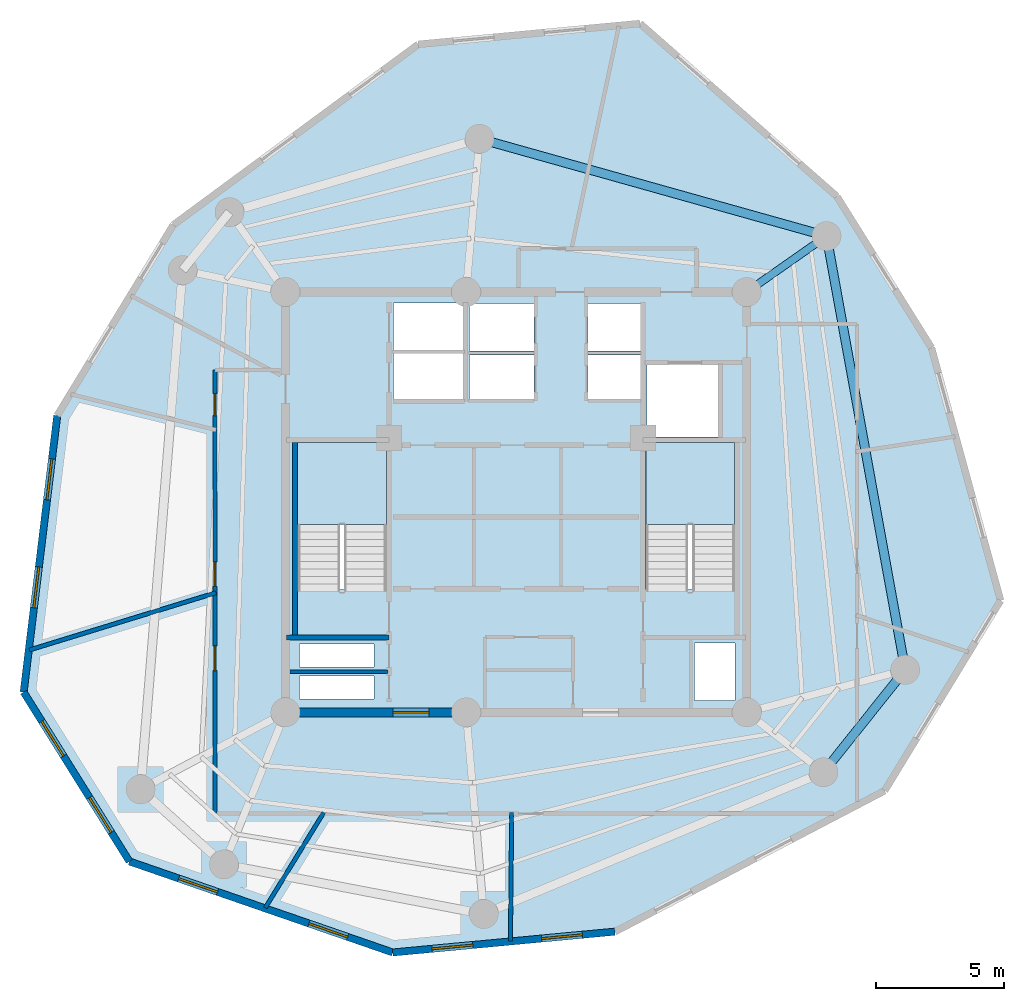
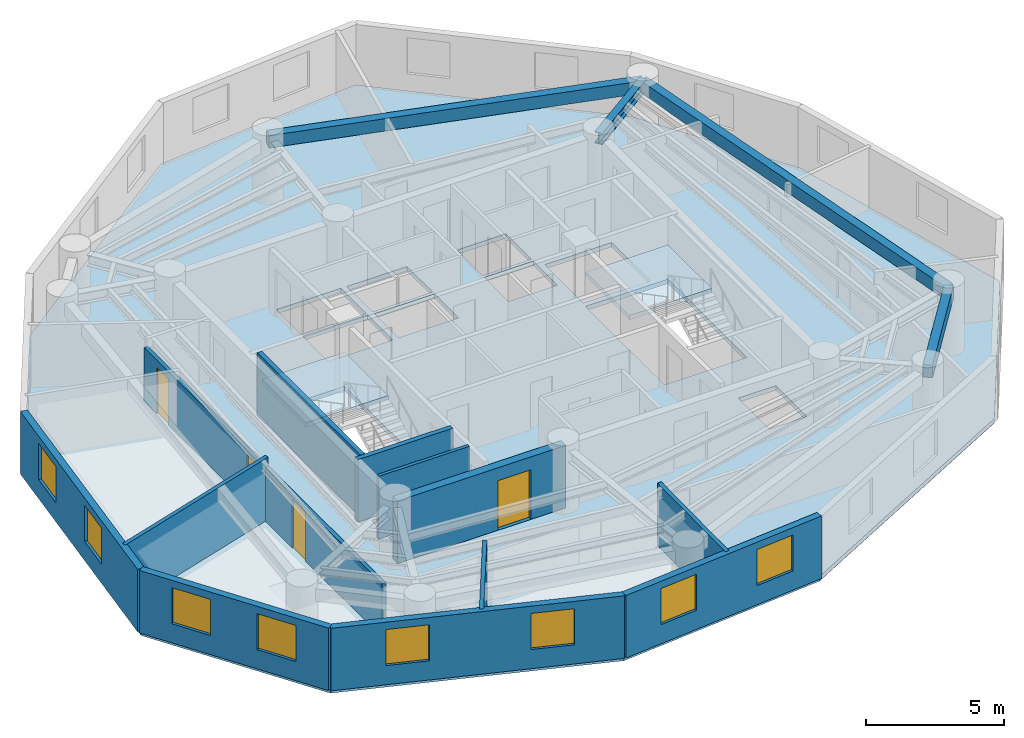
# One storey, part 2 of 6: 12 walls, 8 windows, 4 beams, 4 doors, 3 slabs, 12 openings, 2 elements without a shape of their own.
"""IFC4 building model written with IfcOpenShell, lengths in metres."""

from ifc_helpers import new_model, si_unit, direction, frame, frame_2d, origin, origin_with_axes, origin_2d, place, context, subcontext, project, spatial, polyline, rectangle, i_section, outline, extrude, source, transform, mapped, material, layer, layer_set, material_profile, profile_set, type_object, element, fill, aggregate, save


model = new_model("IFC4")

# Units and contexts
model_context = context("Model", 3, precision=1e-05, world=origin(), true_north=direction((0.0, 1.0)))
body_context = subcontext(model_context, "Body", "Model", "MODEL_VIEW")
ifc_project = project(units=[si_unit("LENGTHUNIT", "METRE"), si_unit("AREAUNIT", "SQUARE_METRE"), si_unit("VOLUMEUNIT", "CUBIC_METRE"), si_unit("PLANEANGLEUNIT", "RADIAN"), si_unit("MASSUNIT", "GRAM", prefix="KILO")], contexts=[model_context])

# Site, building, storey
site_placement = place(None, origin())
site = spatial("IfcSite", under=ifc_project, at=site_placement, CompositionType="ELEMENT")
building_placement = place(site_placement, origin())
building = spatial("IfcBuilding", under=site, at=building_placement, Name="Karkom Vertical University and Central Library", CompositionType="ELEMENT")
storey_placement = place(building_placement, frame((0.0, 0.0, 265.699951171875)))
storey = spatial("IfcBuildingStorey", under=building, at=storey_placement, Name="L79", CompositionType="ELEMENT", Elevation=265.699951171875)

# Beams
ifc_material_1 = material(Name="Precast concrete C45/55", Category="concrete")
ifc_material_profile_1 = material_profile(ifc_material_1, rectangle(XDim=0.35009765625, YDim=0.550048828125, at=origin_2d()), Name="SPB-350x550")
ifc_profile_set_1 = profile_set([ifc_material_profile_1], Name="Precast concrete C45/55")
beam_type_1 = type_object("IfcBeamType", Name="STR-BM-SP-2", PredefinedType="SPANDREL", material=ifc_profile_set_1)
shared_shape_1 = source(origin_with_axes(), body_context, "Body", "SweptSolid", [
    extrude(rectangle(XDim=0.35009765625, YDim=0.550048828125, at=origin_2d()), origin(), (0.0, 0.0, 1.0), 17.19970703125),
])
beam_1_placement = place(storey_placement, frame((43.681884765625, 19.9560546875, 2.5), z_axis=(-0.178423249727, 0.983953832228, 0.0), x_axis=(-0.983953832228, -0.178423249727, 0.0)))
element("IfcBeam", 1, at=beam_1_placement, inside=storey, type_object=beam_type_1, Name="Level 79 Perimeter Spandrel Beam 01", PredefinedType="SPANDREL", context=body_context, shape_type="MappedRepresentation", body=[
    mapped(shared_shape_1, transform((0.0, 0.0, 0.0), scale=1.0)),
])
shared_shape_2 = source(origin_with_axes(), body_context, "Body", "SweptSolid", [
    extrude(rectangle(XDim=0.35009765625, YDim=0.550048828125, at=origin_2d()), origin(), (0.0, 0.0, 1.0), 14.0625),
])
beam_2_placement = place(storey_placement, frame((40.613037109375, 36.8798828125, 2.5), z_axis=(-0.962854853531, 0.270019501207, 0.0), x_axis=(-0.270019501207, -0.962854853531, 0.0)))
element("IfcBeam", 2, at=beam_2_placement, inside=storey, type_object=beam_type_1, Name="Level 79 Perimeter Spandrel Beam 02", PredefinedType="SPANDREL", context=body_context, shape_type="MappedRepresentation", body=[
    mapped(shared_shape_2, transform((0.0, 0.0, 0.0), scale=1.0)),
])
shared_shape_3 = source(origin_with_axes(), body_context, "Body", "SweptSolid", [
    extrude(rectangle(XDim=0.35009765625, YDim=0.550048828125, at=origin_2d()), origin(), (0.0, 0.0, 1.0), 5.112060546875),
])
beam_3_placement = place(storey_placement, frame((40.493896484375, 15.9599609375, 2.5), z_axis=(0.623634459503, 0.78171609995, 0.0), x_axis=(-0.78171609995, 0.623634459503, 0.0)))
element("IfcBeam", 3, at=beam_3_placement, inside=storey, type_object=beam_type_1, Name="Level 79 Perimeter Spandrel Beam 09", PredefinedType="SPANDREL", context=body_context, shape_type="MappedRepresentation", body=[
    mapped(shared_shape_3, transform((0.0, 0.0, 0.0), scale=1.0)),
])
ifc_material_2 = material(Name="Steel S355", Category="steel")
ifc_material_profile_2 = material_profile(ifc_material_2, i_section(OverallWidth=0.300048828125, OverallDepth=0.5, WebThickness=0.014404296875, FlangeThickness=0.028076171875, FilletRadius=0.027099609375, at=origin_2d()), Name="HE 500 B")
ifc_profile_set_2 = profile_set([ifc_material_profile_2], Name="Steel S355")
beam_type_2 = type_object("IfcBeamType", Name="STR-BM-SB-HE500", PredefinedType="USERDEFINED", material=ifc_profile_set_2)
shared_shape_4 = source(origin_with_axes(), body_context, "Body", "SweptSolid", [
    extrude(i_section(OverallWidth=0.300048828125, OverallDepth=0.5, WebThickness=0.014404296875, FlangeThickness=0.028076171875, FilletRadius=0.027099609375, at=origin_2d()), origin(), (0.0, 0.0, 1.0), 3.80029296875),
])
beam_4_placement = place(storey_placement, frame((37.5, 34.699951171875, 2.525146484375), z_axis=(0.819132313625, 0.573604613627, 0.0), x_axis=(-0.573604613627, 0.819132313625, 0.0)))
element("IfcBeam", 4, at=beam_4_placement, inside=storey, type_object=beam_type_2, Name="Level 79 Radial Frame Girder 02", ObjectType="GIRDER", PredefinedType="USERDEFINED", context=body_context, shape_type="MappedRepresentation", body=[
    mapped(shared_shape_4, transform((0.0, 0.0, 0.0), scale=1.0)),
])

# Stair, slab
ifc_material_3 = material(Name="Concrete C45/55", Category="concrete")
stair_type = type_object("IfcStairType", Name="INT-STR-ST-MAIN", PredefinedType="HALF_TURN_STAIR", material=ifc_material_3)
stair_1_placement = place(storey_placement, origin())
stair_1 = element("IfcStair", 5, at=stair_1_placement, inside=storey, type_object=stair_type, Name="Level 79 Tower Protected Exit Stair ST-1", PredefinedType="HALF_TURN_STAIR")
ifc_layer_1 = layer(ifc_material_3, 0.199951171875)
ifc_layer_set_1 = layer_set([ifc_layer_1], Name="Concrete C45/55")
slab_type_1 = type_object("IfcSlabType", Name="INT-SLB-LANDING", PredefinedType="LANDING", material=ifc_layer_set_1)
slab_1_placement = place(storey_placement, frame((0.0, 0.0, 1.324951171875)))
slab_1 = element("IfcSlab", 6, at=slab_1_placement, type_object=slab_type_1, Name="ST-1 landing 1", PredefinedType="LANDING", context=body_context, shape_type="SweptSolid", body=[
    extrude(outline(polyline([(23.43994140625, 25.6298828125), (23.43994140625, 28.820068359375), (19.97998046875, 28.820068359375), (19.97998046875, 25.6298828125), (23.43994140625, 25.6298828125)])), origin(), (0.0, 0.0, 1.0), 0.2001953125),
])
aggregate(stair_1, [slab_1])

stair_2_placement = place(storey_placement, origin())
stair_2 = element("IfcStair", 7, at=stair_2_placement, inside=storey, type_object=stair_type, Name="Level 79 Tower Protected Exit Stair ST-2", PredefinedType="HALF_TURN_STAIR")
slab_2_placement = place(storey_placement, frame((0.0, 0.0, 1.324951171875)))
slab_2 = element("IfcSlab", 8, at=slab_2_placement, type_object=slab_type_1, Name="ST-2 landing 1", PredefinedType="LANDING", context=body_context, shape_type="SweptSolid", body=[
    extrude(outline(polyline([(37.02001953125, 25.6298828125), (37.02001953125, 28.820068359375), (33.56005859375, 28.820068359375), (33.56005859375, 25.6298828125), (37.02001953125, 25.6298828125)])), origin(), (0.0, 0.0, 1.0), 0.2001953125),
])
aggregate(stair_2, [slab_2])

# Slab
ifc_material_4 = material(Name="Concrete C40/50", Category="concrete")
ifc_layer_2 = layer(ifc_material_4, 0.199951171875)
ifc_layer_set_2 = layer_set([ifc_layer_2], Name="Concrete C40/50")
slab_type_2 = type_object("IfcSlabType", Name="STR-SLB-FLR-200", PredefinedType="FLOOR", material=ifc_layer_set_2)
slab_3_placement = place(storey_placement, frame((0.0, 0.0, -0.199951171875)))
element("IfcSlab", 9, at=slab_3_placement, inside=storey, type_object=slab_type_2, Name="Level 79 Tower Structural Floor Slab", PredefinedType="FLOOR", context=body_context, shape_type="SweptSolid", body=[
    extrude(outline(polyline([(9.28466796875, 19.087158203125), (13.413818359375, 12.47900390625), (23.686279296875, 8.926513671875), (32.35498046875, 9.739501953125), (42.880126953125, 15.24169921875), (47.401123046875, 22.660888671875), (44.7041015625, 32.5234375), (41.017333984375, 38.423583984375), (33.335205078125, 45.171142578125), (24.684814453125, 44.360107421875), (15.12548828125, 37.312255859375), (10.594970703125, 29.876953125), (9.28466796875, 19.087158203125)]), holes=[polyline([(19.97998046875, 23.0849609375), (23.43994140625, 23.0849609375), (23.43994140625, 28.820068359375), (19.97998046875, 28.820068359375), (19.97998046875, 23.0849609375)]), polyline([(33.56005859375, 23.0849609375), (37.02001953125, 23.0849609375), (37.02001953125, 28.820068359375), (33.56005859375, 28.820068359375), (33.56005859375, 23.0849609375)]), polyline([(26.679931640625, 30.5), (29.199951171875, 30.5), (29.199951171875, 32.25), (26.679931640625, 32.25), (26.679931640625, 30.5)]), polyline([(26.679931640625, 32.39990234375), (29.199951171875, 32.39990234375), (29.199951171875, 34.25), (26.679931640625, 34.25), (26.679931640625, 32.39990234375)]), polyline([(31.300048828125, 30.5), (33.35009765625, 30.5), (33.35009765625, 32.25), (31.300048828125, 32.25), (31.300048828125, 30.5)]), polyline([(31.300048828125, 32.39990234375), (33.35009765625, 32.39990234375), (33.35009765625, 34.25), (31.300048828125, 34.25), (31.300048828125, 32.39990234375)]), polyline([(23.719970703125, 30.47998046875), (26.429931640625, 30.47998046875), (26.429931640625, 32.320068359375), (23.719970703125, 32.320068359375), (23.719970703125, 30.47998046875)]), polyline([(23.719970703125, 32.419921875), (26.429931640625, 32.419921875), (26.429931640625, 34.260009765625), (23.719970703125, 34.260009765625), (23.719970703125, 32.419921875)]), polyline([(33.60009765625, 29.050048828125), (36.39990234375, 29.050048828125), (36.39990234375, 31.85009765625), (33.60009765625, 31.85009765625), (33.60009765625, 29.050048828125)]), polyline([(20.050048828125, 18.820068359375), (22.949951171875, 18.820068359375), (22.949951171875, 19.719970703125), (20.050048828125, 19.719970703125), (20.050048828125, 18.820068359375)]), polyline([(20.050048828125, 20.06005859375), (22.949951171875, 20.06005859375), (22.949951171875, 20.9599609375), (20.050048828125, 20.9599609375), (20.050048828125, 20.06005859375)]), polyline([(35.4599609375, 18.760009765625), (37.0400390625, 18.760009765625), (37.0400390625, 21.010009765625), (35.4599609375, 21.010009765625), (35.4599609375, 18.760009765625)])]), origin(), (0.0, 0.0, 1.0), 0.199951171875),
])

# Wall, openings, windows
ifc_material_5 = material(Name="Brick-faced precast concrete C45/55", Category="masonry")
ifc_layer_3 = layer(ifc_material_5, 0.280029296875)
ifc_layer_set_3 = layer_set([ifc_layer_3], Name="Brick-faced precast concrete C45/55")
wall_type_1 = type_object("IfcWallType", Name="ENV-WL-BRK-280", PredefinedType="SOLIDWALL", material=ifc_layer_set_3)
wall_1_placement = place(storey_placement, frame((9.28466796875, 19.087158203125, 0.0), z_axis=(0.0, 0.0, 1.0), x_axis=(0.529911631117, -0.848052865809, 0.0)))
wall_1 = element("IfcWall", 10, at=wall_1_placement, inside=storey, type_object=wall_type_1, Name="Level 79 Brick-Faced Precast Facade Wall 01", PredefinedType="SOLIDWALL", context=body_context, shape_type="SweptSolid", body=[
    extrude(rectangle(XDim=7.792236328125, YDim=0.280029296875, at=frame_2d((3.89599609375, 0.0))), origin(), (0.0, 0.0, 1.0), 2.775146484375),
])
opening_1_placement = place(wall_1_placement, frame((1.338134765625, 0.0, 0.85009765625)))
opening_1 = element("IfcOpeningElement", 11, at=opening_1_placement, cuts=wall_1, Name="Opening WN-10", PredefinedType="OPENING", context=body_context, shape_type="SweptSolid", body=[
    extrude(rectangle(XDim=1.60009765625, YDim=1.60009765625, at=frame_2d((0.800048828125, 0.800048828125))), frame((0.0, 0.14990234375, 0.0), z_axis=(0.0, -1.0, 0.0), x_axis=(1.0, 0.0, 0.0)), (0.0, 0.0, 1.0), 0.300048828125),
])
opening_2_placement = place(wall_1_placement, frame((4.854248046875, 0.0, 0.85009765625)))
opening_2 = element("IfcOpeningElement", 12, at=opening_2_placement, cuts=wall_1, Name="Opening WN-10", PredefinedType="OPENING", context=body_context, shape_type="SweptSolid", body=[
    extrude(rectangle(XDim=1.60009765625, YDim=1.60009765625, at=frame_2d((0.800048828125, 0.800048828125))), frame((0.0, 0.14990234375, 0.0), z_axis=(0.0, -1.0, 0.0), x_axis=(1.0, 0.0, 0.0)), (0.0, 0.0, 1.0), 0.300048828125),
])
ifc_material_6 = material(Name="Aluminium thermal-break frame with solar-control IGU", Category="aluminium")
window_type = type_object("IfcWindowType", Name="ENV-WIN-WN-10", PartitioningType="SINGLE_PANEL", PredefinedType="WINDOW", material=ifc_material_6)
shared_shape_5 = source(origin_with_axes(), body_context, "Body", "SweptSolid", [
    extrude(rectangle(XDim=1.60009765625, YDim=1.60009765625, at=frame_2d((0.800048828125, 0.800048828125))), frame((0.0, 0.030029296875, 0.0), z_axis=(0.0, -1.0, 0.0), x_axis=(1.0, 0.0, 0.0)), (0.0, 0.0, 1.0), 0.06005859375),
])
window_1_placement = place(opening_1_placement, origin())
window_1 = element("IfcWindow", 13, at=window_1_placement, inside=storey, type_object=window_type, Name="Level 79 Punched Window 1.1", OverallHeight=1.60009765625, OverallWidth=1.60009765625, PartitioningType="SINGLE_PANEL", PredefinedType="WINDOW", context=body_context, shape_type="MappedRepresentation", body=[
    mapped(shared_shape_5, transform((0.0, 0.0, 0.0), scale=1.0)),
])
fill(opening_1, window_1)
window_2_placement = place(opening_2_placement, origin())
window_2 = element("IfcWindow", 14, at=window_2_placement, inside=storey, type_object=window_type, Name="Level 79 Punched Window 1.2", OverallHeight=1.60009765625, OverallWidth=1.60009765625, PartitioningType="SINGLE_PANEL", PredefinedType="WINDOW", context=body_context, shape_type="MappedRepresentation", body=[
    mapped(shared_shape_5, transform((0.0, 0.0, 0.0), scale=1.0)),
])
fill(opening_2, window_2)

wall_2_placement = place(storey_placement, frame((13.413818359375, 12.47900390625, 0.0), z_axis=(0.0, 0.0, 1.0), x_axis=(0.945081634544, -0.326834367912, 0.0)))
wall_2 = element("IfcWall", 15, at=wall_2_placement, inside=storey, type_object=wall_type_1, Name="Level 79 Brick-Faced Precast Facade Wall 02", PredefinedType="SOLIDWALL", context=body_context, shape_type="SweptSolid", body=[
    extrude(rectangle(XDim=10.869384765625, YDim=0.280029296875, at=frame_2d((5.4345703125, 0.0))), origin(), (0.0, 0.0, 1.0), 2.775146484375),
])
opening_3_placement = place(wall_2_placement, frame((2.033935546875, 0.0, 0.85009765625)))
opening_3 = element("IfcOpeningElement", 16, at=opening_3_placement, cuts=wall_2, Name="Opening WN-10", PredefinedType="OPENING", context=body_context, shape_type="SweptSolid", body=[
    extrude(rectangle(XDim=1.60009765625, YDim=1.60009765625, at=frame_2d((0.800048828125, 0.800048828125))), frame((0.0, 0.14990234375, 0.0), z_axis=(0.0, -1.0, 0.0), x_axis=(1.0, 0.0, 0.0)), (0.0, 0.0, 1.0), 0.300048828125),
])
opening_4_placement = place(wall_2_placement, frame((7.408447265625, 0.0, 0.85009765625)))
opening_4 = element("IfcOpeningElement", 17, at=opening_4_placement, cuts=wall_2, Name="Opening WN-10", PredefinedType="OPENING", context=body_context, shape_type="SweptSolid", body=[
    extrude(rectangle(XDim=1.60009765625, YDim=1.60009765625, at=frame_2d((0.800048828125, 0.800048828125))), frame((0.0, 0.14990234375, 0.0), z_axis=(0.0, -1.0, 0.0), x_axis=(1.0, 0.0, 0.0)), (0.0, 0.0, 1.0), 0.300048828125),
])
window_3_placement = place(opening_3_placement, origin())
window_3 = element("IfcWindow", 18, at=window_3_placement, inside=storey, type_object=window_type, Name="Level 79 Punched Window 2.1", OverallHeight=1.60009765625, OverallWidth=1.60009765625, PartitioningType="SINGLE_PANEL", PredefinedType="WINDOW", context=body_context, shape_type="MappedRepresentation", body=[
    mapped(shared_shape_5, transform((0.0, 0.0, 0.0), scale=1.0)),
])
fill(opening_3, window_3)
window_4_placement = place(opening_4_placement, origin())
window_4 = element("IfcWindow", 19, at=window_4_placement, inside=storey, type_object=window_type, Name="Level 79 Punched Window 2.2", OverallHeight=1.60009765625, OverallWidth=1.60009765625, PartitioningType="SINGLE_PANEL", PredefinedType="WINDOW", context=body_context, shape_type="MappedRepresentation", body=[
    mapped(shared_shape_5, transform((0.0, 0.0, 0.0), scale=1.0)),
])
fill(opening_4, window_4)

wall_3_placement = place(storey_placement, frame((23.686279296875, 8.926513671875, 0.0), z_axis=(0.0, 0.0, 1.0), x_axis=(0.99563104956, 0.093374585153, 0.0)))
wall_3 = element("IfcWall", 20, at=wall_3_placement, inside=storey, type_object=wall_type_1, Name="Level 79 Brick-Faced Precast Facade Wall 03", PredefinedType="SOLIDWALL", context=body_context, shape_type="SweptSolid", body=[
    extrude(rectangle(XDim=8.706787109375, YDim=0.280029296875, at=frame_2d((4.353515625, 0.0))), origin(), (0.0, 0.0, 1.0), 2.775146484375),
])
opening_5_placement = place(wall_3_placement, frame((1.540283203125, 0.0, 0.85009765625)))
opening_5 = element("IfcOpeningElement", 21, at=opening_5_placement, cuts=wall_3, Name="Opening WN-10", PredefinedType="OPENING", context=body_context, shape_type="SweptSolid", body=[
    extrude(rectangle(XDim=1.60009765625, YDim=1.60009765625, at=frame_2d((0.800048828125, 0.800048828125))), frame((0.0, 0.14990234375, 0.0), z_axis=(0.0, -1.0, 0.0), x_axis=(1.0, 0.0, 0.0)), (0.0, 0.0, 1.0), 0.300048828125),
])
opening_6_placement = place(wall_3_placement, frame((5.833740234375, 0.0, 0.85009765625)))
opening_6 = element("IfcOpeningElement", 22, at=opening_6_placement, cuts=wall_3, Name="Opening WN-10", PredefinedType="OPENING", context=body_context, shape_type="SweptSolid", body=[
    extrude(rectangle(XDim=1.60009765625, YDim=1.60009765625, at=frame_2d((0.800048828125, 0.800048828125))), frame((0.0, 0.14990234375, 0.0), z_axis=(0.0, -1.0, 0.0), x_axis=(1.0, 0.0, 0.0)), (0.0, 0.0, 1.0), 0.300048828125),
])
window_5_placement = place(opening_5_placement, origin())
window_5 = element("IfcWindow", 23, at=window_5_placement, inside=storey, type_object=window_type, Name="Level 79 Punched Window 3.1", OverallHeight=1.60009765625, OverallWidth=1.60009765625, PartitioningType="SINGLE_PANEL", PredefinedType="WINDOW", context=body_context, shape_type="MappedRepresentation", body=[
    mapped(shared_shape_5, transform((0.0, 0.0, 0.0), scale=1.0)),
])
fill(opening_5, window_5)
window_6_placement = place(opening_6_placement, origin())
window_6 = element("IfcWindow", 24, at=window_6_placement, inside=storey, type_object=window_type, Name="Level 79 Punched Window 3.2", OverallHeight=1.60009765625, OverallWidth=1.60009765625, PartitioningType="SINGLE_PANEL", PredefinedType="WINDOW", context=body_context, shape_type="MappedRepresentation", body=[
    mapped(shared_shape_5, transform((0.0, 0.0, 0.0), scale=1.0)),
])
fill(opening_6, window_6)

wall_4_placement = place(storey_placement, frame((10.594970703125, 29.876953125, 0.0), z_axis=(0.0, 0.0, 1.0), x_axis=(-0.120553402625, -0.992706843492, 0.0)))
wall_4 = element("IfcWall", 25, at=wall_4_placement, inside=storey, type_object=wall_type_1, Name="Level 79 Brick-Faced Precast Facade Wall 12", PredefinedType="SOLIDWALL", context=body_context, shape_type="SweptSolid", body=[
    extrude(rectangle(XDim=10.869140625, YDim=0.280029296875, at=frame_2d((5.4345703125, 0.0))), origin(), (0.0, 0.0, 1.0), 2.775146484375),
])
opening_7_placement = place(wall_4_placement, frame((1.70361328125, 0.0, 0.85009765625)))
opening_7 = element("IfcOpeningElement", 26, at=opening_7_placement, cuts=wall_4, Name="Opening WN-10", PredefinedType="OPENING", context=body_context, shape_type="SweptSolid", body=[
    extrude(rectangle(XDim=1.60009765625, YDim=1.60009765625, at=frame_2d((0.800048828125, 0.800048828125))), frame((0.0, 0.14990234375, 0.0), z_axis=(0.0, -1.0, 0.0), x_axis=(1.0, 0.0, 0.0)), (0.0, 0.0, 1.0), 0.300048828125),
])
opening_8_placement = place(wall_4_placement, frame((5.95068359375, 0.0, 0.85009765625)))
opening_8 = element("IfcOpeningElement", 27, at=opening_8_placement, cuts=wall_4, Name="Opening WN-10", PredefinedType="OPENING", context=body_context, shape_type="SweptSolid", body=[
    extrude(rectangle(XDim=1.60009765625, YDim=1.60009765625, at=frame_2d((0.800048828125, 0.800048828125))), frame((0.0, 0.14990234375, 0.0), z_axis=(0.0, -1.0, 0.0), x_axis=(1.0, 0.0, 0.0)), (0.0, 0.0, 1.0), 0.300048828125),
])
window_7_placement = place(opening_7_placement, origin())
window_7 = element("IfcWindow", 28, at=window_7_placement, inside=storey, type_object=window_type, Name="Level 79 Punched Window 12.1", OverallHeight=1.60009765625, OverallWidth=1.60009765625, PartitioningType="SINGLE_PANEL", PredefinedType="WINDOW", context=body_context, shape_type="MappedRepresentation", body=[
    mapped(shared_shape_5, transform((0.0, 0.0, 0.0), scale=1.0)),
])
fill(opening_7, window_7)
window_8_placement = place(opening_8_placement, origin())
window_8 = element("IfcWindow", 29, at=window_8_placement, inside=storey, type_object=window_type, Name="Level 79 Punched Window 12.2", OverallHeight=1.60009765625, OverallWidth=1.60009765625, PartitioningType="SINGLE_PANEL", PredefinedType="WINDOW", context=body_context, shape_type="MappedRepresentation", body=[
    mapped(shared_shape_5, transform((0.0, 0.0, 0.0), scale=1.0)),
])
fill(opening_8, window_8)

# Wall, openings, doors
ifc_material_7 = material(Name="Insulated metal-stud drywall 160mm", Category="gypsum")
ifc_layer_4 = layer(ifc_material_7, 0.159912109375)
ifc_layer_set_4 = layer_set([ifc_layer_4], Name="Insulated metal-stud drywall 160mm")
wall_type_2 = type_object("IfcWallType", Name="INT-WL-COR-160", PredefinedType="PARTITIONING", material=ifc_layer_set_4)
wall_5_placement = place(storey_placement, frame((16.75, 14.35009765625, 0.0), z_axis=(0.0, 0.0, 1.0), x_axis=(0.0, 1.0, 0.0)))
wall_5 = element("IfcWall", 30, at=wall_5_placement, inside=storey, type_object=wall_type_2, Name="Level 79 Interior Partition Wall L79-CORW-CW-002", PredefinedType="PARTITIONING", context=body_context, shape_type="SweptSolid", body=[
    extrude(rectangle(XDim=17.2998046875, YDim=0.159912109375, at=frame_2d((8.64990234375, 0.0))), origin(), (0.0, 0.0, 1.0), 2.375),
])
opening_9_placement = place(wall_5_placement, frame((8.864990234375, 0.0, 0.0)))
opening_9 = element("IfcOpeningElement", 31, at=opening_9_placement, cuts=wall_5, Name="Opening D-RM1", PredefinedType="OPENING", context=body_context, shape_type="SweptSolid", body=[
    extrude(rectangle(XDim=0.949951171875, YDim=2.14990234375, at=frame_2d((0.47509765625, 1.074951171875))), frame((0.0, 0.08984375, 0.0), z_axis=(0.0, -1.0, 0.0), x_axis=(1.0, 0.0, 0.0)), (0.0, 0.0, 1.0), 0.179931640625),
])
opening_10_placement = place(wall_5_placement, frame((5.580078125, 0.0, 0.0)))
opening_10 = element("IfcOpeningElement", 32, at=opening_10_placement, cuts=wall_5, Name="Opening FD-RM2", PredefinedType="OPENING", context=body_context, shape_type="SweptSolid", body=[
    extrude(rectangle(XDim=0.9599609375, YDim=2.14990234375, at=frame_2d((0.47998046875, 1.074951171875))), frame((0.0, 0.08984375, 0.0), z_axis=(0.0, -1.0, 0.0), x_axis=(1.0, 0.0, 0.0)), (0.0, 0.0, 1.0), 0.179931640625),
])
opening_11_placement = place(wall_5_placement, frame((15.52294921875, 0.0, 0.0)))
opening_11 = element("IfcOpeningElement", 33, at=opening_11_placement, cuts=wall_5, Name="Opening FD-BTH2", PredefinedType="OPENING", context=body_context, shape_type="SweptSolid", body=[
    extrude(rectangle(XDim=0.860107421875, YDim=2.0400390625, at=frame_2d((0.43017578125, 1.02001953125))), frame((0.0, 0.08984375, 0.0), z_axis=(0.0, -1.0, 0.0), x_axis=(1.0, 0.0, 0.0)), (0.0, 0.0, 1.0), 0.179931640625),
])
ifc_material_8 = material(Name="Fire-rated oak veneer door", Category="wood")
door_type_1 = type_object("IfcDoorType", Name="INT-DR-FRM2", OperationType="NOTDEFINED", PredefinedType="DOOR", material=ifc_material_8)
shared_shape_6 = source(origin_with_axes(), body_context, "Body", "SweptSolid", [
    extrude(rectangle(XDim=0.9599609375, YDim=2.14990234375, at=frame_2d((0.47998046875, 1.074951171875))), frame((0.0, 0.02490234375, 0.0), z_axis=(0.0, -1.0, 0.0), x_axis=(1.0, 0.0, 0.0)), (0.0, 0.0, 1.0), 0.050048828125),
])
door_1_placement = place(opening_10_placement, origin())
door_1 = element("IfcDoor", 34, at=door_1_placement, inside=storey, type_object=door_type_1, Name="Level 79 Room Entry Door 010", OperationType="SINGLE_SWING_RIGHT", OverallHeight=2.14990234375, OverallWidth=0.9599609375, PredefinedType="DOOR", context=body_context, shape_type="MappedRepresentation", body=[
    mapped(shared_shape_6, transform((0.0, 0.0, 0.0), scale=1.0)),
])
fill(opening_10, door_1)
ifc_material_9 = material(Name="Fire-rated moisture-resistant oak door", Category="wood")
door_type_2 = type_object("IfcDoorType", Name="INT-DR-FBTH2", OperationType="NOTDEFINED", PredefinedType="DOOR", material=ifc_material_9)
shared_shape_7 = source(origin_with_axes(), body_context, "Body", "SweptSolid", [
    extrude(rectangle(XDim=0.860107421875, YDim=2.0400390625, at=frame_2d((0.43017578125, 1.02001953125))), frame((0.0, 0.02490234375, 0.0), z_axis=(0.0, -1.0, 0.0), x_axis=(1.0, 0.0, 0.0)), (0.0, 0.0, 1.0), 0.050048828125),
])
door_2_placement = place(opening_11_placement, origin())
door_2 = element("IfcDoor", 35, at=door_2_placement, inside=storey, type_object=door_type_2, Name="Level 79 Departmental Reference Reading Library Entry Door", OperationType="SINGLE_SWING_LEFT", OverallHeight=2.0400390625, OverallWidth=0.860107421875, PredefinedType="DOOR", context=body_context, shape_type="MappedRepresentation", body=[
    mapped(shared_shape_7, transform((0.0, 0.0, 0.0), scale=1.0)),
])
fill(opening_11, door_2)
ifc_material_10 = material(Name="Solid-core oak veneer door", Category="wood")
door_type_3 = type_object("IfcDoorType", Name="INT-DR-RM1", OperationType="NOTDEFINED", PredefinedType="DOOR", material=ifc_material_10)
shared_shape_8 = source(origin_with_axes(), body_context, "Body", "SweptSolid", [
    extrude(rectangle(XDim=0.949951171875, YDim=2.14990234375, at=frame_2d((0.47509765625, 1.074951171875))), frame((0.0, 0.02490234375, 0.0), z_axis=(0.0, -1.0, 0.0), x_axis=(1.0, 0.0, 0.0)), (0.0, 0.0, 1.0), 0.050048828125),
])
door_3_placement = place(opening_9_placement, origin())
door_3 = element("IfcDoor", 36, at=door_3_placement, inside=storey, type_object=door_type_3, Name="Level 79 Room Entry Door 000", OperationType="SINGLE_SWING_LEFT", OverallHeight=2.14990234375, OverallWidth=0.949951171875, PredefinedType="DOOR", context=body_context, shape_type="MappedRepresentation", body=[
    mapped(shared_shape_8, transform((0.0, 0.0, 0.0), scale=1.0)),
])
fill(opening_9, door_3)

# Walls
wall_6_placement = place(storey_placement, frame((16.79296875, 22.96728515625, 0.0), z_axis=(0.0, 0.0, 1.0), x_axis=(-0.955928643111, -0.293599096183, 0.0)))
element("IfcWall", 37, at=wall_6_placement, inside=storey, type_object=wall_type_2, Name="Level 79 Interior Partition Wall L79-PW-001", PredefinedType="PARTITIONING", context=body_context, shape_type="SweptSolid", body=[
    extrude(rectangle(XDim=7.613525390625, YDim=0.159912109375, at=frame_2d((3.806640625, 0.0))), origin(), (0.0, 0.0, 1.0), 2.775146484375),
])
wall_7_placement = place(storey_placement, frame((28.327392578125, 14.39501953125, 0.0), z_axis=(0.0, 0.0, 1.0), x_axis=(-0.009302602669, -0.999956729856, 0.0)))
element("IfcWall", 38, at=wall_7_placement, inside=storey, type_object=wall_type_2, Name="Level 79 Interior Partition Wall L79-PW-004", PredefinedType="PARTITIONING", context=body_context, shape_type="SweptSolid", body=[
    extrude(rectangle(XDim=5.0126953125, YDim=0.159912109375, at=frame_2d((2.50634765625, 0.0))), origin(), (0.0, 0.0, 1.0), 2.775146484375),
])
wall_8_placement = place(storey_placement, frame((20.99560546875, 14.388427734375, 0.0), z_axis=(0.0, 0.0, 1.0), x_axis=(-0.523134582176, -0.852250085909, 0.0)))
element("IfcWall", 39, at=wall_8_placement, inside=storey, type_object=wall_type_2, Name="Level 79 Interior Partition Wall L79-PW-003", PredefinedType="PARTITIONING", context=body_context, shape_type="SweptSolid", body=[
    extrude(rectangle(XDim=4.35888671875, YDim=0.159912109375, at=frame_2d((2.179443359375, 0.0))), origin(), (0.0, 0.0, 1.0), 2.775146484375),
])
ifc_material_11 = material(Name="Metal-stud gypsum partition 140mm", Category="gypsum")
ifc_layer_5 = layer(ifc_material_11, 0.139892578125)
ifc_layer_set_5 = layer_set([ifc_layer_5], Name="Metal-stud gypsum partition 140mm")
wall_type_3 = type_object("IfcWallType", Name="INT-WL-SUB-140H", PredefinedType="PARTITIONING", material=ifc_layer_set_5)
wall_9_placement = place(storey_placement, frame((19.681884765625, 19.889892578125, 0.0), z_axis=(0.0, 0.0, 1.0), x_axis=(1.0, 0.0, 0.0)))
element("IfcWall", 40, at=wall_9_placement, inside=storey, type_object=wall_type_3, Name="Level 79 Interior Partition Wall L79-CW-RIS-W", PredefinedType="PARTITIONING", context=body_context, shape_type="SweptSolid", body=[
    extrude(rectangle(XDim=3.8154296875, YDim=0.139892578125, at=frame_2d((1.90771484375, 0.0))), origin(), (0.0, 0.0, 1.0), 2.775146484375),
])

# Wall, opening, door
ifc_layer_6 = layer(ifc_material_3, 0.35009765625)
ifc_layer_set_6 = layer_set([ifc_layer_6], Name="Concrete C45/55")
wall_type_4 = type_object("IfcWallType", Name="STR-WL-CW-350", PredefinedType="SHEAR", material=ifc_layer_set_6)
wall_10_placement = place(storey_placement, frame((19.5, 18.300048828125, 0.0), z_axis=(0.0, 0.0, 1.0), x_axis=(1.0, 0.0, 0.0)))
wall_10 = element("IfcWall", 41, at=wall_10_placement, inside=storey, type_object=wall_type_4, Name="Level 79 Central Core Shear Wall SW1", PredefinedType="SHEAR", context=body_context, shape_type="SweptSolid", body=[
    extrude(rectangle(XDim=7.050048828125, YDim=0.35009765625, at=frame_2d((3.52490234375, 0.0))), origin(), (0.0, 0.0, 1.0), 2.775146484375),
])
opening_12_placement = place(wall_10_placement, frame((4.199951171875, 0.0, 0.0)))
opening_12 = element("IfcOpeningElement", 42, at=opening_12_placement, cuts=wall_10, Name="Opening FD-CLB", PredefinedType="OPENING", context=body_context, shape_type="SweptSolid", body=[
    extrude(rectangle(XDim=1.39990234375, YDim=2.199951171875, at=frame_2d((0.699951171875, 1.10009765625))), frame((0.0, 0.18505859375, 0.0), z_axis=(0.0, -1.0, 0.0), x_axis=(1.0, 0.0, 0.0)), (0.0, 0.0, 1.0), 0.3701171875),
])
ifc_material_12 = material(Name="Painted steel fire door", Category="steel")
door_type_4 = type_object("IfcDoorType", Name="INT-DR-CLB", OperationType="DOUBLE_DOOR_SINGLE_SWING", PredefinedType="DOOR", material=ifc_material_12)
shared_shape_9 = source(origin_with_axes(), body_context, "Body", "SweptSolid", [
    extrude(rectangle(XDim=1.39990234375, YDim=2.199951171875, at=frame_2d((0.699951171875, 1.10009765625))), frame((0.0, 0.02490234375, 0.0), z_axis=(0.0, -1.0, 0.0), x_axis=(1.0, 0.0, 0.0)), (0.0, 0.0, 1.0), 0.050048828125),
])
door_4_placement = place(opening_12_placement, origin())
door_4 = element("IfcDoor", 43, at=door_4_placement, inside=storey, type_object=door_type_4, Name="Level 79 South Core Lobby West Exit Door", OperationType="DOUBLE_DOOR_SINGLE_SWING", OverallHeight=2.199951171875, OverallWidth=1.39990234375, PredefinedType="DOOR", context=body_context, shape_type="MappedRepresentation", body=[
    mapped(shared_shape_9, transform((0.0, 0.0, 0.0), scale=1.0)),
])
fill(opening_12, door_4)

# Walls
ifc_layer_7 = layer(ifc_material_3, 0.199951171875)
ifc_layer_set_7 = layer_set([ifc_layer_7], Name="Concrete C45/55")
wall_type_5 = type_object("IfcWallType", Name="STR-WL-ST-200", PredefinedType="SHEAR", material=ifc_layer_set_7)
wall_11_placement = place(storey_placement, frame((19.875, 21.320068359375, 0.0), z_axis=(0.0, 0.0, 1.0), x_axis=(0.0, 1.0, 0.0)))
element("IfcWall", 44, at=wall_11_placement, inside=storey, type_object=wall_type_5, Name="Level 79 Core Shaft Wall L79-CW-ST1-W", PredefinedType="SHEAR", context=body_context, shape_type="SweptSolid", body=[
    extrude(rectangle(XDim=7.5, YDim=0.199951171875, at=frame_2d((3.75, 0.0))), origin(), (0.0, 0.0, 1.0), 2.775146484375),
])
wall_12_placement = place(storey_placement, frame((19.550048828125, 21.215087890625, 0.0), z_axis=(0.0, 0.0, 1.0), x_axis=(1.0, 0.0, 0.0)))
element("IfcWall", 45, at=wall_12_placement, inside=storey, type_object=wall_type_5, Name="Level 79 Core Shaft Wall L79-CW-ST1-S", PredefinedType="SHEAR", context=body_context, shape_type="SweptSolid", body=[
    extrude(rectangle(XDim=3.994873046875, YDim=0.199951171875, at=frame_2d((1.99755859375, 0.0))), origin(), (0.0, 0.0, 1.0), 2.775146484375),
])

save(model, "model.ifc")
